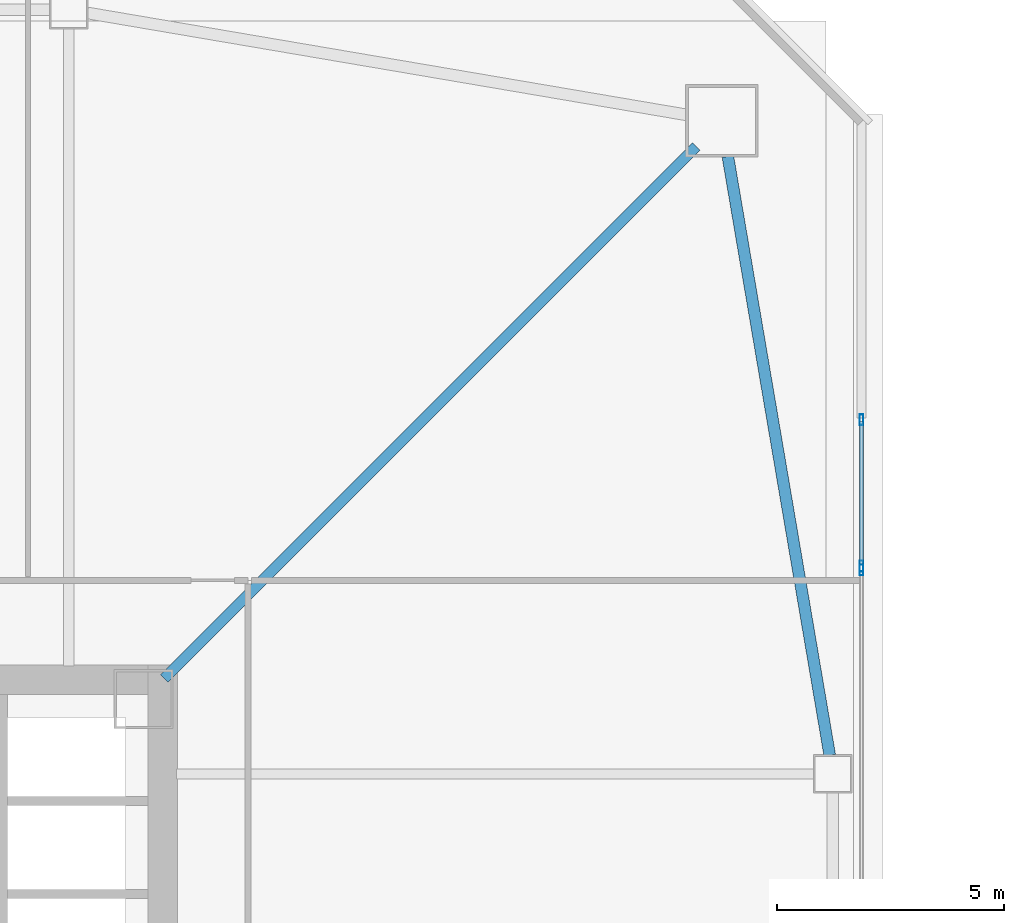
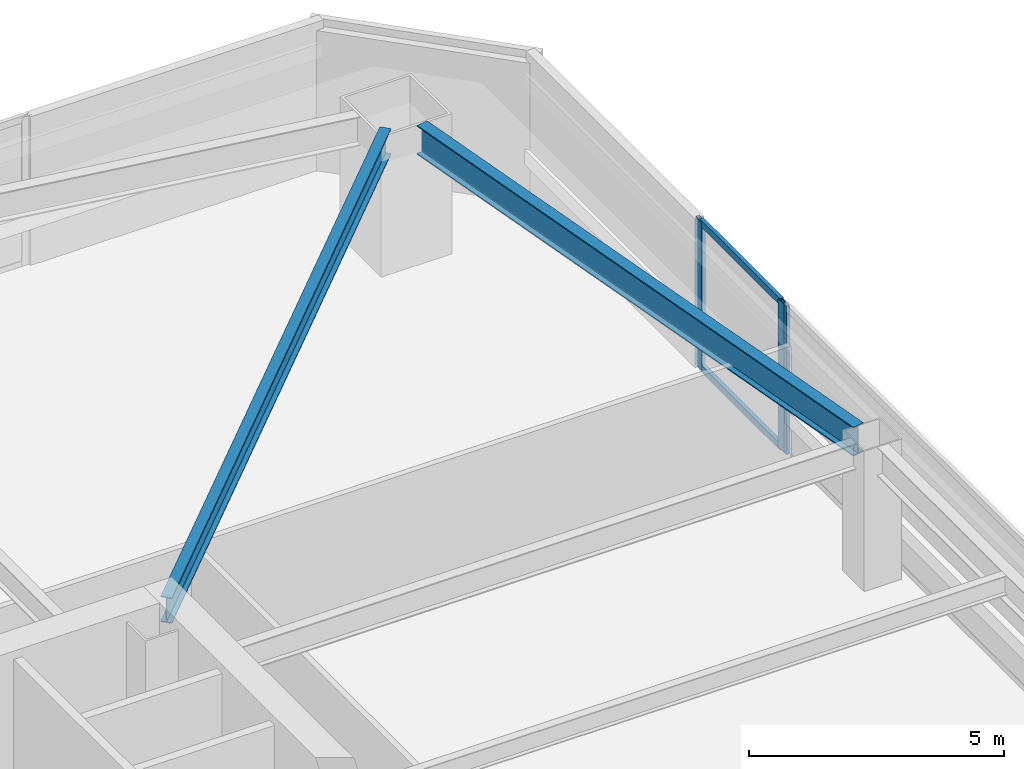
# One storey, part 17 of 46: 5 members, 2 beams, 2 elements without a shape of their own.
"""IFC4 building model written with IfcOpenShell, lengths in metres."""

import ifcopenshell
import ifcopenshell.guid

model = None  # the IFC model being written
_history = None  # IfcOwnerHistory: only IFC2X3 demands one
_inside = {}  # id of a spatial element -> (the spatial element, [elements in it])
_under = {}  # id of a project, library or spatial element -> (it, [spatial elements below it])
_declared = {}  # id of a project -> (the project, [libraries it declares])
_typed = {}  # id of a type object -> (the type object, [elements of that type])
_made_of = {}  # id of a material, layer set ... -> (it, [elements and type objects made of it])


def new_model(schema):
    """Start an empty IFC model of exactly this schema.

    Asked for "IFC4X3", IfcOpenShell would pick the latest addendum, in which some entities
    have other attributes; the version numbers below select the first issue.
    IFC2X3 requires an IfcOwnerHistory on every rooted entity: one is made here for all.
    """
    global model, _history
    if schema == "IFC4X3":
        model = ifcopenshell.file(schema_version=(4, 3, 0, 0))
    else:
        model = ifcopenshell.file(schema=schema)
    _inside.clear()
    _under.clear()
    _declared.clear()
    _typed.clear()
    _made_of.clear()
    _history = None
    if model.schema == "IFC2X3":
        org = make("IfcOrganization", Name="unknown")
        user = make(
            "IfcPersonAndOrganization",
            ThePerson=make("IfcPerson", FamilyName="unknown"),
            TheOrganization=org,
        )
        app = make(
            "IfcApplication",
            ApplicationDeveloper=org,
            Version="unknown",
            ApplicationFullName="unknown",
            ApplicationIdentifier="unknown",
        )
        _history = make(
            "IfcOwnerHistory",
            OwningUser=user,
            OwningApplication=app,
            ChangeAction="ADDED",
            CreationDate=0,
        )
    return model


def make(cls, **values):
    """One entity of the class cls with the attributes given. An attribute that is None is left unset."""
    return model.create_entity(
        cls, **{name: value for name, value in values.items() if value is not None}
    )


def rooted(cls, **values):
    """An entity with a GlobalId (a new one), such as an element, a storey or a relation."""
    return make(cls, GlobalId=ifcopenshell.guid.new(), OwnerHistory=_history, **values)


def si_unit(unit_type, name, prefix=None):
    """IfcSIUnit, for example si_unit("LENGTHUNIT", "METRE", prefix="MILLI")."""
    return make("IfcSIUnit", UnitType=unit_type, Prefix=prefix, Name=name)


def assignment(units):
    """IfcUnitAssignment: the units of a project."""
    return None if units is None else make("IfcUnitAssignment", Units=units)


def point(xyz):
    """IfcCartesianPoint."""
    return None if xyz is None else make("IfcCartesianPoint", Coordinates=xyz)


def direction(xyz):
    """IfcDirection."""
    return None if xyz is None else make("IfcDirection", DirectionRatios=xyz)


def frame(location, z_axis=None, x_axis=None):
    """IfcAxis2Placement3D, a coordinate frame: its origin and axes. An axis left out is left unset."""
    return make(
        "IfcAxis2Placement3D",
        Location=point(location),
        Axis=direction(z_axis),
        RefDirection=direction(x_axis),
    )


def frame_2d(location, x_axis=None):
    """IfcAxis2Placement2D, a coordinate frame in the plane: its origin and x axis."""
    return make(
        "IfcAxis2Placement2D", Location=point(location), RefDirection=direction(x_axis)
    )


def origin():
    """The frame at (0, 0, 0) with its axes left unset."""
    return frame((0.0, 0.0, 0.0))


def origin_2d():
    """The frame at (0, 0) in the plane with its x axis left unset."""
    return frame_2d((0.0, 0.0))


def place(relative_to, where):
    """IfcLocalPlacement: puts the frame where relative to a parent placement (None: the world)."""
    return make(
        "IfcLocalPlacement", PlacementRelTo=relative_to, RelativePlacement=where
    )


def context(
    kind, dimensions, precision=None, world=None, true_north=None, identifier=None
):
    """IfcGeometricRepresentationContext, for example the 3D "Model" context."""
    return make(
        "IfcGeometricRepresentationContext",
        ContextIdentifier=identifier,
        ContextType=kind,
        CoordinateSpaceDimension=dimensions,
        Precision=precision,
        WorldCoordinateSystem=world,
        TrueNorth=true_north,
    )


def subcontext(parent, identifier, kind, view, scale=None):
    """IfcGeometricRepresentationSubContext, for example "Body" below "Model"."""
    return make(
        "IfcGeometricRepresentationSubContext",
        ContextIdentifier=identifier,
        ContextType=kind,
        ParentContext=parent,
        TargetScale=scale,
        TargetView=view,
    )


def project(units=None, contexts=None):
    """IfcProject with its units and contexts."""
    return rooted(
        "IfcProject",
        Name="project",
        RepresentationContexts=contexts,
        UnitsInContext=assignment(units),
    )


def spatial(cls, under=None, at=None, **own):
    """A site, building, storey or space (cls), placed at a placement, below another one or the project."""
    s = rooted(cls, ObjectPlacement=at, **own)
    if under is not None:
        _under.setdefault(under.id(), (under, []))[1].append(s)
    return s


def profile(cls, at=None, kind="AREA", **sizes):
    """A parametric profile (cls). Its sizes go by their IFC names, for example OverallWidth=200.0."""
    return make(cls, ProfileType=kind, Position=at, **sizes)


def hollow_rectangle(**sizes):
    """IfcRectangleHollowProfileDef."""
    return profile("IfcRectangleHollowProfileDef", **sizes)


def i_section(**sizes):
    """IfcIShapeProfileDef."""
    return profile("IfcIShapeProfileDef", **sizes)


def extrude(swept, where, along, depth):
    """IfcExtrudedAreaSolid: the profile swept, set in the frame where, extruded along a direction by depth."""
    return make(
        "IfcExtrudedAreaSolid",
        SweptArea=swept,
        Position=where,
        ExtrudedDirection=direction(along),
        Depth=depth,
    )


def shape(context_of_items, identifier, shape_type, items):
    """IfcShapeRepresentation: the items that make up one representation, for example the "Body"."""
    return make(
        "IfcShapeRepresentation",
        ContextOfItems=context_of_items,
        RepresentationIdentifier=identifier,
        RepresentationType=shape_type,
        Items=items,
    )


def material(Name=None, Category=None):
    """IfcMaterial."""
    return make("IfcMaterial", Name=Name, Category=Category)


def material_profile(
    of_material, cross_section, Name=None, Category=None, Priority=None
):
    """IfcMaterialProfile: a cross section and its material."""
    return make(
        "IfcMaterialProfile",
        Name=Name,
        Material=of_material,
        Profile=cross_section,
        Priority=Priority,
        Category=Category,
    )


def profile_set(profiles, Name=None, composite=None):
    """IfcMaterialProfileSet."""
    return make(
        "IfcMaterialProfileSet",
        Name=Name,
        MaterialProfiles=profiles,
        CompositeProfile=composite,
    )


def made_of(thing, what):
    """Note that an element or type object is made of a material, layer set ...; save() writes the relation."""
    if what is not None:
        _made_of.setdefault(what.id(), (what, []))[1].append(thing)
    return thing


def type_object(cls, material=None, **own):
    """A type object (cls), such as IfcWallType, which elements share."""
    return made_of(rooted(cls, **own), material)


def element(
    cls,
    number,
    at=None,
    inside=None,
    cuts=None,
    type_object=None,
    material=None,
    context=None,
    identifier="Body",
    shape_type=None,
    held_by="IfcProductDefinitionShape",
    body=None,
    shapes=None,
    **own,
):
    """One element of the class cls, such as IfcWall. Its Tag is "e" and its number.

    at: its placement. inside: the storey or other place that contains it. cuts: it is an
    opening in that element (IfcRelVoidsElement). A single representation is given by context,
    identifier, shape_type and body (its items); several are given by shapes. held_by: the class
    of the entity that holds the representations. save() writes the other relations.
    """
    e = rooted(cls, Tag="e%d" % number, ObjectPlacement=at, **own)
    if body is not None:
        shapes = [shape(context, identifier, shape_type, body)]
    if shapes is not None:
        e.Representation = make(held_by, Representations=shapes)
    if inside is not None:
        _inside.setdefault(inside.id(), (inside, []))[1].append(e)
    if cuts is not None:
        rooted(
            "IfcRelVoidsElement", RelatingBuildingElement=cuts, RelatedOpeningElement=e
        )
    if type_object is not None:
        _typed.setdefault(type_object.id(), (type_object, []))[1].append(e)
    return made_of(e, material)


def aggregate(whole, parts):
    """IfcRelAggregates: a whole, such as a stair, and the parts it consists of."""
    return rooted("IfcRelAggregates", RelatingObject=whole, RelatedObjects=parts)


def save(model, path):
    """Write the relations noted so far, then the file.

    IfcRelAggregates (storeys below a building ...), IfcRelContainedInSpatialStructure (elements
    in a storey), IfcRelDefinesByType, IfcRelAssociatesMaterial and IfcRelDeclares: one each for
    every whole, place, type object, material and project.
    """
    for whole, parts in _under.values():
        aggregate(whole, parts)
    for where, things in _inside.values():
        rooted(
            "IfcRelContainedInSpatialStructure",
            RelatedElements=things,
            RelatingStructure=where,
        )
    for kind, things in _typed.values():
        rooted("IfcRelDefinesByType", RelatedObjects=things, RelatingType=kind)
    for what, things in _made_of.values():
        rooted("IfcRelAssociatesMaterial", RelatedObjects=things, RelatingMaterial=what)
    for by, libraries in _declared.values():
        rooted("IfcRelDeclares", RelatingContext=by, RelatedDefinitions=libraries)
    model.write(path)


model = new_model("IFC4")

# Units and contexts
model_context = context("Model", 3, precision=1e-05, world=origin(), true_north=direction((0.0, 1.0)))
body_context = subcontext(model_context, "Body", "Model", "MODEL_VIEW")
ifc_project = project(units=[si_unit("LENGTHUNIT", "METRE"), si_unit("AREAUNIT", "SQUARE_METRE"), si_unit("VOLUMEUNIT", "CUBIC_METRE"), si_unit("PLANEANGLEUNIT", "RADIAN"), si_unit("MASSUNIT", "GRAM", prefix="KILO")], contexts=[model_context])

# Site, building, storey
site_placement = place(None, origin())
site = spatial("IfcSite", under=ifc_project, at=site_placement, CompositionType="ELEMENT")
building_placement = place(site_placement, origin())
building = spatial("IfcBuilding", under=site, at=building_placement, Name="Tashvorn Skyway Center", CompositionType="ELEMENT")
storey_placement = place(building_placement, frame((0.0, 0.0, 60.10009765625)))
storey = spatial("IfcBuildingStorey", under=building, at=storey_placement, Name="L15", CompositionType="ELEMENT", Elevation=60.10009765625)

# Beams
ifc_material_1 = material(Name="Steel ASTM A992 Grade 50", Category="steel")
ifc_material_profile_1 = material_profile(ifc_material_1, i_section(OverallWidth=0.22998046875, OverallDepth=0.616943359375, WebThickness=0.01318359375, FlangeThickness=0.022216796875, at=origin_2d()), Name="W24X94")
ifc_profile_set_1 = profile_set([ifc_material_profile_1], Name="Steel ASTM A992 Grade 50")
beam_type_1 = type_object("IfcBeamType", Name="BM-BEAM-W24X94", PredefinedType="BEAM", material=ifc_profile_set_1)
beam_1_placement = place(storey_placement, frame((61.23779296875, 51.23779296875, 3.04150390625), z_axis=(-0.707106781187, -0.707106781187, 0.0), x_axis=(0.707106781187, -0.707106781187, 0.0)))
element("IfcBeam", 1, at=beam_1_placement, inside=storey, type_object=beam_type_1, Name="Tower 1 L15 Primary Floor Girder MC-NE", PredefinedType="BEAM", context=body_context, shape_type="SweptSolid", body=[
    extrude(i_section(OverallWidth=0.22998046875, OverallDepth=0.616943359375, WebThickness=0.01318359375, FlangeThickness=0.022216796875, at=origin_2d()), origin(), (0.0, 0.0, 1.0), 16.591064453125),
])
ifc_material_profile_2 = material_profile(ifc_material_1, i_section(OverallWidth=0.256103515625, OverallDepth=0.693115234375, WebThickness=0.014404296875, FlangeThickness=0.023681640625, at=origin_2d()), Name="W27X114")
ifc_profile_set_2 = profile_set([ifc_material_profile_2], Name="Steel ASTM A992 Grade 50")
beam_type_2 = type_object("IfcBeamType", Name="BM-SPANDREL-W27X114", PredefinedType="SPANDREL", material=ifc_profile_set_2)
beam_2_placement = place(storey_placement, frame((64.179443359375, 37.81396484375, 3.00341796875), z_axis=(-0.16771792509, 0.985835025551, 0.0), x_axis=(-0.985835025551, -0.16771792509, 0.0)))
element("IfcBeam", 2, at=beam_2_placement, inside=storey, type_object=beam_type_2, Name="Tower 1 L15 Spandrel Beam 06", PredefinedType="SPANDREL", context=body_context, shape_type="SweptSolid", body=[
    extrude(i_section(OverallWidth=0.256103515625, OverallDepth=0.693115234375, WebThickness=0.014404296875, FlangeThickness=0.023681640625, at=origin_2d()), origin(), (0.0, 0.0, 1.0), 13.39208984375),
])

# Curtain wall, members
ifc_material_2 = material(Name="Thermally broken bronze-anodized aluminium 6063-T6", Category="aluminium")
curtain_wall_type = type_object("IfcCurtainWallType", Name="CW-CW-Z1", PredefinedType="NOTDEFINED", material=ifc_material_2)
curtain_wall_1_placement = place(storey_placement, origin())
curtain_wall_1 = element("IfcCurtainWall", 3, at=curtain_wall_1_placement, inside=storey, type_object=curtain_wall_type, Name="Tower 1 L15 East Unitised Curtain Wall Glazing Group 1", PredefinedType="NOTDEFINED")
ifc_material_profile_3 = material_profile(ifc_material_2, hollow_rectangle(XDim=0.0849609375, YDim=0.239990234375, WallThickness=0.0048828125, at=origin_2d()), Name="ALU-MULL-85x240")
ifc_profile_set_3 = profile_set([ifc_material_profile_3], Name="Thermally broken bronze-anodized aluminium 6063-T6")
member_type_1 = type_object("IfcMemberType", Name="CWM-CW-Z1", PredefinedType="MULLION", material=ifc_profile_set_3)
member_1_placement = place(storey_placement, frame((64.8798828125, 45.210693359375, 0.0), z_axis=(0.0, 0.0, 1.0), x_axis=(1.0, 0.0, 0.0)))
member_1 = element("IfcMember", 4, at=member_1_placement, type_object=member_type_1, Name="CW-Z1 mullion 1", PredefinedType="MULLION", context=body_context, shape_type="SweptSolid", body=[
    extrude(hollow_rectangle(XDim=0.0849609375, YDim=0.239990234375, WallThickness=0.0048828125, at=origin_2d()), origin(), (0.0, 0.0, 1.0), 3.5498046875),
])
member_2_placement = place(storey_placement, frame((64.8798828125, 41.982421875, 0.0), z_axis=(0.0, 0.0, 1.0), x_axis=(1.0, 0.0, 0.0)))
member_2 = element("IfcMember", 5, at=member_2_placement, type_object=member_type_1, Name="CW-Z1 mullion 2", PredefinedType="MULLION", context=body_context, shape_type="SweptSolid", body=[
    extrude(hollow_rectangle(XDim=0.0849609375, YDim=0.239990234375, WallThickness=0.0048828125, at=origin_2d()), origin(), (0.0, 0.0, 1.0), 3.5498046875),
])

# Curtain wall, member
curtain_wall_2_placement = place(storey_placement, origin())
curtain_wall_2 = element("IfcCurtainWall", 6, at=curtain_wall_2_placement, inside=storey, type_object=curtain_wall_type, Name="Tower 1 L15 East Unitised Curtain Wall Glazing Group 2", PredefinedType="NOTDEFINED")
member_3_placement = place(storey_placement, frame((64.8798828125, 41.8974609375, 0.0), z_axis=(0.0, 0.0, 1.0), x_axis=(1.0, 0.0, 0.0)))
member_3 = element("IfcMember", 7, at=member_3_placement, type_object=member_type_1, Name="CW-Z1 mullion 1", PredefinedType="MULLION", context=body_context, shape_type="SweptSolid", body=[
    extrude(hollow_rectangle(XDim=0.0849609375, YDim=0.239990234375, WallThickness=0.0048828125, at=origin_2d()), origin(), (0.0, 0.0, 1.0), 3.5498046875),
])
aggregate(curtain_wall_2, [member_3])

# Member
ifc_material_profile_4 = material_profile(ifc_material_2, hollow_rectangle(XDim=0.0849609375, YDim=0.1650390625, WallThickness=0.0048828125, at=origin_2d()), Name="ALU-TRAN-85x165")
ifc_profile_set_4 = profile_set([ifc_material_profile_4], Name="Thermally broken bronze-anodized aluminium 6063-T6")
member_type_2 = type_object("IfcMemberType", Name="CWT-CW-Z1", PredefinedType="USERDEFINED", material=ifc_profile_set_4)
member_4_placement = place(storey_placement, frame((64.8798828125, 45.168212890625, 0.04248046875), z_axis=(0.0, -1.0, 0.0), x_axis=(1.0, 0.0, 0.0)))
member_4 = element("IfcMember", 8, at=member_4_placement, type_object=member_type_2, Name="CW-Z1 transom 1.1", ObjectType="TRANSOM", PredefinedType="USERDEFINED", context=body_context, shape_type="SweptSolid", body=[
    extrude(hollow_rectangle(XDim=0.0849609375, YDim=0.1650390625, WallThickness=0.0048828125, at=origin_2d()), origin(), (0.0, 0.0, 1.0), 3.143310546875),
])

member_5_placement = place(storey_placement, frame((64.8798828125, 45.168212890625, 3.50732421875), z_axis=(0.0, -1.0, 0.0), x_axis=(1.0, 0.0, 0.0)))
member_5 = element("IfcMember", 9, at=member_5_placement, type_object=member_type_2, Name="CW-Z1 transom 1.2", ObjectType="TRANSOM", PredefinedType="USERDEFINED", context=body_context, shape_type="SweptSolid", body=[
    extrude(hollow_rectangle(XDim=0.0849609375, YDim=0.1650390625, WallThickness=0.0048828125, at=origin_2d()), origin(), (0.0, 0.0, 1.0), 3.143310546875),
])

aggregate(curtain_wall_1, [member_1, member_2, member_4, member_5])

save(model, "model.ifc")
